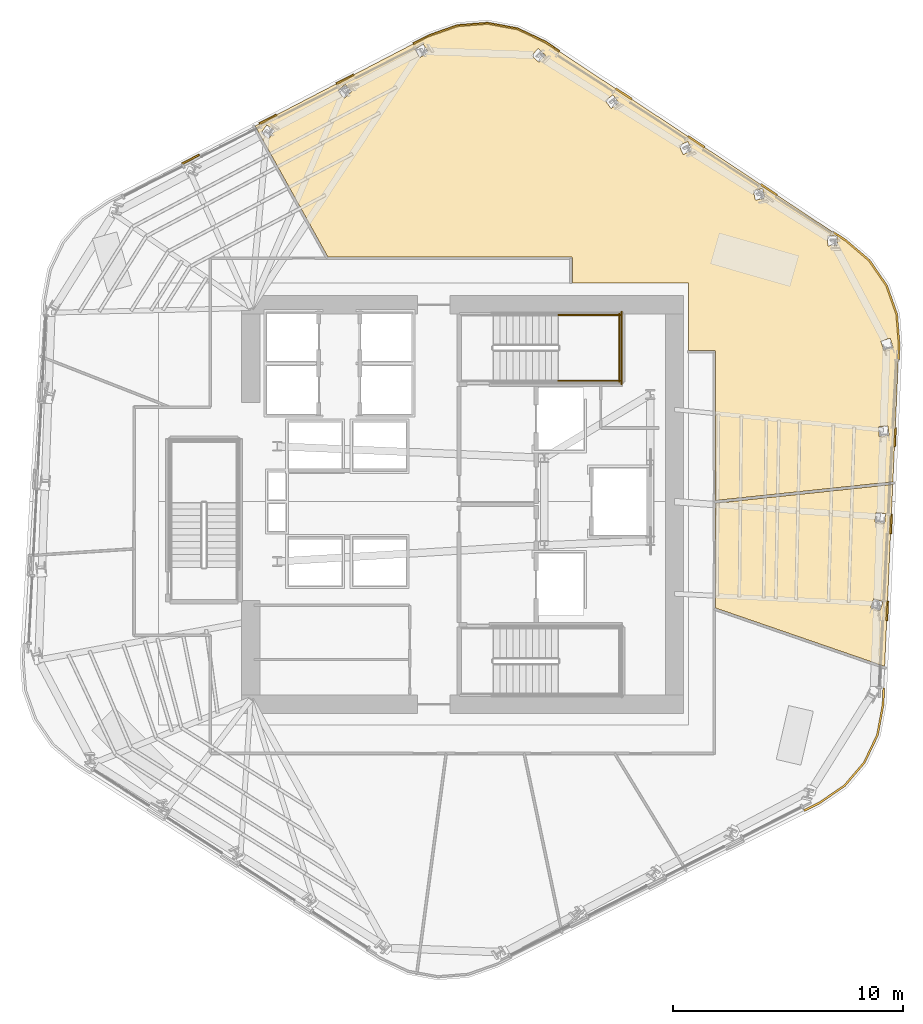
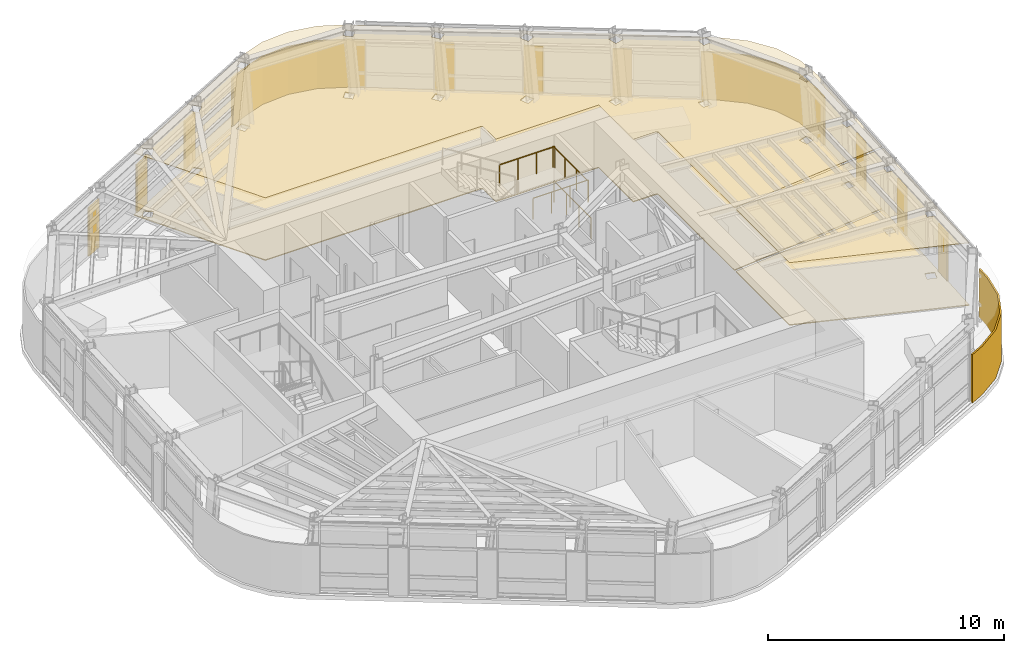
# One storey, part 13 of 14: 16 coverings, 4 railings.
"""IFC4 building model written with IfcOpenShell, lengths in metres."""

from ifc_helpers import new_model, si_unit, direction, frame, origin, origin_2d, place, context, subcontext, project, spatial, polyline, circle, outline, extrude, material, layer, layer_set, type_object, element, save


model = new_model("IFC4")

# Units and contexts
model_context = context("Model", 3, precision=1e-05, world=origin(), true_north=direction((0.0, 1.0)))
body_context = subcontext(model_context, "Body", "Model", "MODEL_VIEW")
ifc_project = project(units=[si_unit("LENGTHUNIT", "METRE"), si_unit("AREAUNIT", "SQUARE_METRE"), si_unit("VOLUMEUNIT", "CUBIC_METRE"), si_unit("PLANEANGLEUNIT", "RADIAN"), si_unit("MASSUNIT", "GRAM", prefix="KILO")], contexts=[model_context])

# Site, building, storey
site_placement = place(None, origin())
site = spatial("IfcSite", under=ifc_project, at=site_placement, CompositionType="ELEMENT")
building_placement = place(site_placement, origin())
building = spatial("IfcBuilding", under=site, at=building_placement, Name="Valkerne Bourse Tower", CompositionType="ELEMENT")
storey_placement = place(building_placement, frame((0.0, 0.0, 140.0)))
storey = spatial("IfcBuildingStorey", under=building, at=storey_placement, Name="L35", CompositionType="ELEMENT", Elevation=140.0)

# Coverings
ifc_material_1 = material(Name="Mineral Fiber Acoustic Ceiling Tile", Category="acoustic")
ifc_layer_1 = layer(ifc_material_1, 0.02490234375)
ifc_layer_set_1 = layer_set([ifc_layer_1], Name="Mineral Fiber Acoustic Ceiling Tile")
covering_type_1 = type_object("IfcCoveringType", Name="COV-CEIL-ACT", PredefinedType="CEILING", material=ifc_layer_set_1)
covering_1_placement = place(storey_placement, frame((0.0, 0.0, 3.22998046875)))
element("IfcCovering", 1, at=covering_1_placement, inside=storey, type_object=covering_type_1, Name="L35 Suspended Ceiling 07", PredefinedType="CEILING", context=body_context, shape_type="SweptSolid", body=[
    extrude(outline(polyline([(57.7890625, 26.933349609375), (65.4736328125, 27.741455078125), (65.12109375, 19.85009765625), (57.7890625, 22.379150390625), (57.7890625, 26.933349609375)]), holes=[polyline([(65.047119140625, 22.6611328125), (64.6416015625, 22.787353515625), (64.5185546875, 22.392822265625), (64.51806640625, 22.390380859375), (64.92333984375, 22.26416015625), (65.04638671875, 22.65869140625), (65.047119140625, 22.6611328125)]), polyline([(65.160400390625, 26.477783203125), (65.160400390625, 26.48046875), (64.73779296875, 26.521240234375), (64.697998046875, 26.110107421875), (64.69775390625, 26.107421875), (65.12060546875, 26.06640625), (65.160400390625, 26.477783203125)])]), origin(), (0.0, 0.0, 1.0), 0.02490234375),
])
covering_2_placement = place(storey_placement, frame((0.0, 0.0, 3.22998046875)))
element("IfcCovering", 2, at=covering_2_placement, inside=storey, type_object=covering_type_1, Name="L35 Suspended Ceiling 11", PredefinedType="CEILING", context=body_context, shape_type="SweptSolid", body=[
    extrude(outline(polyline([(47.88818359375, 47.761962890625), (49.185546875, 47.521484375), (50.384765625, 46.949462890625), (63.441162109375, 38.325927734375), (64.4521484375, 37.46240234375), (65.19970703125, 36.375), (65.639892578125, 35.131103515625), (65.744384765625, 33.8056640625), (65.47900390625, 27.860595703125), (57.7890625, 27.052001953125), (57.788330078125, 33.510009765625), (57.76611328125, 33.551513671875), (57.723388671875, 33.56884765625), (56.60009765625, 33.569091796875), (56.60009765625, 36.5), (51.569091796875, 36.5), (51.56884765625, 37.564697265625), (51.547119140625, 37.61083984375), (51.50439453125, 37.62890625), (40.94970703125, 37.62890625), (37.794921875, 43.306640625), (45.3203125, 47.21484375), (46.572509765625, 47.658203125), (47.88818359375, 47.761962890625)]), holes=[polyline([(38.393310546875, 42.760986328125), (38.639404296875, 43.10595703125), (38.302734375, 43.34716796875), (38.30029296875, 43.345947265625), (38.054443359375, 43.0009765625), (38.39111328125, 42.759765625), (38.393310546875, 42.760986328125)]), polyline([(53.579345703125, 44.30908203125), (53.32958984375, 44.651611328125), (53.326904296875, 44.652587890625), (52.9931640625, 44.40771484375), (53.242919921875, 44.065185546875), (53.24560546875, 44.064208984375), (53.579345703125, 44.30908203125)]), polyline([(41.980712890625, 44.80224609375), (41.699951171875, 45.10693359375), (41.697509765625, 45.106201171875), (41.386474609375, 44.818603515625), (41.6669921875, 44.513916015625), (41.669677734375, 44.514404296875), (41.980712890625, 44.80224609375)]), polyline([(50.083984375, 46.66552734375), (50.0810546875, 46.666015625), (49.79931640625, 46.36279296875), (50.10888671875, 46.073486328125), (50.11181640625, 46.072998046875), (50.393310546875, 46.37646484375), (50.083984375, 46.66552734375)]), polyline([(45.310302734375, 46.50341796875), (45.09228515625, 46.85546875), (45.08935546875, 46.855224609375), (44.72998046875, 46.631103515625), (44.9482421875, 46.279052734375), (44.951171875, 46.279296875), (45.310302734375, 46.50341796875)]), polyline([(65.3095703125, 29.878173828125), (65.264892578125, 30.288818359375), (65.264404296875, 30.29150390625), (64.84228515625, 30.24560546875), (64.886962890625, 29.8349609375), (64.887451171875, 29.832275390625), (65.3095703125, 29.878173828125)]), polyline([(65.486572265625, 33.693359375), (65.36572265625, 34.08837890625), (65.36474609375, 34.091064453125), (64.958740234375, 33.966796875), (65.07958984375, 33.57177734375), (65.080810546875, 33.569091796875), (65.486572265625, 33.693359375)]), polyline([(63.0703125, 38.119140625), (63.056884765625, 38.54248046875), (63.055419921875, 38.544921875), (62.6416015625, 38.53076171875), (62.65478515625, 38.107421875), (62.656494140625, 38.10498046875), (63.0703125, 38.119140625)]), polyline([(59.822509765625, 40.587646484375), (59.820556640625, 40.589599609375), (59.416748046875, 40.498046875), (59.509521484375, 40.08447265625), (59.511474609375, 40.08251953125), (59.915283203125, 40.17431640625), (59.822509765625, 40.587646484375)]), polyline([(56.753173828125, 42.239501953125), (56.578125, 42.62548828125), (56.575927734375, 42.626953125), (56.19921875, 42.455078125), (56.3740234375, 42.069091796875), (56.37646484375, 42.067626953125), (56.753173828125, 42.239501953125)])]), origin(), (0.0, 0.0, 1.0), 0.02490234375),
])
ifc_material_2 = material(Name="Bronze Anodised Aluminium AA 6063-T6", Category="aluminium")
ifc_layer_2 = layer(ifc_material_2, 0.06005859375)
ifc_layer_set_2 = layer_set([ifc_layer_2], Name="Bronze Anodised Aluminium AA 6063-T6")
covering_type_2 = type_object("IfcCoveringType", Name="COV-CRN-ALUM", PredefinedType="CLADDING", material=ifc_layer_set_2)
covering_3_placement = place(storey_placement, origin())
element("IfcCovering", 3, at=covering_3_placement, inside=storey, type_object=covering_type_2, Name="L35 Wind-Shaped Corner Aluminium Cladding 01", PredefinedType="CLADDING", context=body_context, shape_type="SweptSolid", body=[
    extrude(outline(polyline([(64.846435546875, 16.85400390625), (64.2734375, 15.652587890625), (63.408935546875, 14.640380859375), (62.306884765625, 13.8828125), (61.645263671875, 13.55224609375), (61.60888671875, 13.62353515625), (62.26611328125, 13.951904296875), (63.35498046875, 14.7001953125), (64.205810546875, 15.696533203125), (64.769775390625, 16.87890625), (65.010498046875, 18.17822265625), (65.043212890625, 18.912109375), (65.123291015625, 18.907958984375), (65.090087890625, 18.169189453125), (64.846435546875, 16.85400390625)])), origin(), (0.0, 0.0, 1.0), 2.5),
])
covering_4_placement = place(storey_placement, origin())
element("IfcCovering", 4, at=covering_4_placement, inside=storey, type_object=covering_type_2, Name="L35 Wind-Shaped Corner Aluminium Cladding 14", PredefinedType="CLADDING", context=body_context, shape_type="SweptSolid", body=[
    extrude(outline(polyline([(35.3515625, 42.087646484375), (35.387939453125, 42.016357421875), (34.642333984375, 41.629150390625), (34.606201171875, 41.700439453125), (35.3515625, 42.087646484375)])), origin(), (0.0, 0.0, 1.0), 2.5),
])
covering_5_placement = place(storey_placement, origin())
element("IfcCovering", 5, at=covering_5_placement, inside=storey, type_object=covering_type_2, Name="L35 Wind-Shaped Corner Aluminium Cladding 15", PredefinedType="CLADDING", context=body_context, shape_type="SweptSolid", body=[
    extrude(outline(polyline([(38.6982421875, 43.825439453125), (38.734619140625, 43.754150390625), (37.989013671875, 43.3671875), (37.952880859375, 43.4384765625), (38.6982421875, 43.825439453125)])), origin(), (0.0, 0.0, 1.0), 2.5),
])
covering_6_placement = place(storey_placement, origin())
element("IfcCovering", 6, at=covering_6_placement, inside=storey, type_object=covering_type_2, Name="L35 Wind-Shaped Corner Aluminium Cladding 16", PredefinedType="CLADDING", context=body_context, shape_type="SweptSolid", body=[
    extrude(outline(polyline([(42.045166015625, 45.5634765625), (42.081298828125, 45.4921875), (41.3359375, 45.10498046875), (41.299560546875, 45.176513671875), (42.045166015625, 45.5634765625)])), origin(), (0.0, 0.0, 1.0), 2.5),
])
covering_7_placement = place(storey_placement, origin())
element("IfcCovering", 7, at=covering_7_placement, inside=storey, type_object=covering_type_2, Name="L35 Wind-Shaped Corner Aluminium Cladding 17", PredefinedType="CLADDING", context=body_context, shape_type="SweptSolid", body=[
    extrude(outline(polyline([(45.302734375, 47.25537109375), (46.5634765625, 47.70166015625), (47.890380859375, 47.80615234375), (49.19921875, 47.563720703125), (50.406494140625, 46.98779296875), (51.0234375, 46.580078125), (50.97998046875, 46.51318359375), (50.366943359375, 46.91796875), (49.17431640625, 47.48681640625), (47.88623046875, 47.7255859375), (46.580078125, 47.622802734375), (45.334716796875, 47.181640625), (44.6826171875, 46.843017578125), (44.646240234375, 46.914306640625), (45.302734375, 47.25537109375)])), origin(), (0.0, 0.0, 1.0), 2.5),
])
covering_8_placement = place(storey_placement, origin())
element("IfcCovering", 8, at=covering_8_placement, inside=storey, type_object=covering_type_2, Name="L35 Wind-Shaped Corner Aluminium Cladding 18", PredefinedType="CLADDING", context=body_context, shape_type="SweptSolid", body=[
    extrude(outline(polyline([(54.17041015625, 44.501953125), (54.126708984375, 44.434814453125), (53.42578125, 44.897705078125), (53.46923828125, 44.96484375), (54.17041015625, 44.501953125)])), origin(), (0.0, 0.0, 1.0), 2.5),
])
covering_9_placement = place(storey_placement, origin())
element("IfcCovering", 9, at=covering_9_placement, inside=storey, type_object=covering_type_2, Name="L35 Wind-Shaped Corner Aluminium Cladding 19", PredefinedType="CLADDING", context=body_context, shape_type="SweptSolid", body=[
    extrude(outline(polyline([(57.31689453125, 42.423583984375), (57.2734375, 42.3564453125), (56.572509765625, 42.819580078125), (56.615966796875, 42.88671875), (57.31689453125, 42.423583984375)])), origin(), (0.0, 0.0, 1.0), 2.5),
])
covering_10_placement = place(storey_placement, origin())
element("IfcCovering", 10, at=covering_10_placement, inside=storey, type_object=covering_type_2, Name="L35 Wind-Shaped Corner Aluminium Cladding 20", PredefinedType="CLADDING", context=body_context, shape_type="SweptSolid", body=[
    extrude(outline(polyline([(60.463623046875, 40.34521484375), (60.420166015625, 40.2783203125), (59.718994140625, 40.7412109375), (59.7626953125, 40.808349609375), (60.463623046875, 40.34521484375)])), origin(), (0.0, 0.0, 1.0), 2.5),
])
covering_11_placement = place(storey_placement, origin())
element("IfcCovering", 11, at=covering_11_placement, inside=storey, type_object=covering_type_2, Name="L35 Wind-Shaped Corner Aluminium Cladding 21", PredefinedType="CLADDING", context=body_context, shape_type="SweptSolid", body=[
    extrude(outline(polyline([(63.467529296875, 38.361328125), (64.485107421875, 37.4921875), (65.239013671875, 36.395263671875), (65.683349609375, 35.140380859375), (65.788330078125, 33.806396484375), (65.758544921875, 33.13818359375), (65.6787109375, 33.142333984375), (65.708251953125, 33.804931640625), (65.6044921875, 35.123779296875), (65.167236328125, 36.358642578125), (64.42529296875, 37.438232421875), (63.41943359375, 38.297119140625), (62.865966796875, 38.662841796875), (62.909423828125, 38.72998046875), (63.467529296875, 38.361328125)])), origin(), (0.0, 0.0, 1.0), 2.5),
])
covering_12_placement = place(storey_placement, origin())
element("IfcCovering", 12, at=covering_12_placement, inside=storey, type_object=covering_type_2, Name="L35 Wind-Shaped Corner Aluminium Cladding 22", PredefinedType="CLADDING", context=body_context, shape_type="SweptSolid", body=[
    extrude(outline(polyline([(65.59033203125, 29.370849609375), (65.510498046875, 29.375), (65.548095703125, 30.214111328125), (65.627685546875, 30.2099609375), (65.59033203125, 29.370849609375)])), origin(), (0.0, 0.0, 1.0), 2.5),
])
covering_13_placement = place(storey_placement, origin())
element("IfcCovering", 13, at=covering_13_placement, inside=storey, type_object=covering_type_2, Name="L35 Wind-Shaped Corner Aluminium Cladding 23", PredefinedType="CLADDING", context=body_context, shape_type="SweptSolid", body=[
    extrude(outline(polyline([(65.422119140625, 25.603515625), (65.34228515625, 25.607666015625), (65.379638671875, 26.447021484375), (65.459716796875, 26.442626953125), (65.422119140625, 25.603515625)])), origin(), (0.0, 0.0, 1.0), 2.5),
])
covering_14_placement = place(storey_placement, origin())
element("IfcCovering", 14, at=covering_14_placement, inside=storey, type_object=covering_type_2, Name="L35 Wind-Shaped Corner Aluminium Cladding 24", PredefinedType="CLADDING", context=body_context, shape_type="SweptSolid", body=[
    extrude(outline(polyline([(65.25390625, 21.836181640625), (65.174072265625, 21.84033203125), (65.21142578125, 22.679443359375), (65.29150390625, 22.67529296875), (65.25390625, 21.836181640625)])), origin(), (0.0, 0.0, 1.0), 2.5),
])
ifc_material_3 = material(Name="Galvanised Painted Steel", Category="steel")
ifc_layer_3 = layer(ifc_material_3, 0.044921875)
ifc_layer_set_3 = layer_set([ifc_layer_3], Name="Galvanised Painted Steel")
covering_type_3 = type_object("IfcCoveringType", Name="COV-FLR-RAF", PredefinedType="FLOORING", material=ifc_layer_set_3)
covering_15_placement = place(storey_placement, origin())
element("IfcCovering", 15, at=covering_15_placement, inside=storey, type_object=covering_type_3, Name="L35 Floor Finish 07", PredefinedType="FLOORING", context=body_context, shape_type="SweptSolid", body=[
    extrude(outline(polyline([(57.7890625, 26.933349609375), (65.4736328125, 27.741455078125), (65.12109375, 19.85009765625), (57.7890625, 22.379150390625), (57.7890625, 26.933349609375)]), holes=[polyline([(65.047119140625, 22.6611328125), (64.6416015625, 22.787353515625), (64.5185546875, 22.392822265625), (64.51806640625, 22.390380859375), (64.92333984375, 22.26416015625), (65.04638671875, 22.65869140625), (65.047119140625, 22.6611328125)]), polyline([(65.160400390625, 26.477783203125), (65.160400390625, 26.48046875), (64.73779296875, 26.521240234375), (64.697998046875, 26.110107421875), (64.69775390625, 26.107421875), (65.12060546875, 26.06640625), (65.160400390625, 26.477783203125)])]), origin(), (0.0, 0.0, 1.0), 0.044921875),
])
covering_16_placement = place(storey_placement, origin())
element("IfcCovering", 16, at=covering_16_placement, inside=storey, type_object=covering_type_3, Name="L35 Floor Finish 11", PredefinedType="FLOORING", context=body_context, shape_type="SweptSolid", body=[
    extrude(outline(polyline([(47.88818359375, 47.761962890625), (49.185546875, 47.521484375), (50.384765625, 46.949462890625), (63.441162109375, 38.325927734375), (64.4521484375, 37.46240234375), (65.19970703125, 36.375), (65.639892578125, 35.131103515625), (65.744384765625, 33.8056640625), (65.47900390625, 27.860595703125), (57.7890625, 27.052001953125), (57.788330078125, 33.510009765625), (57.76611328125, 33.551513671875), (57.723388671875, 33.56884765625), (56.60009765625, 33.569091796875), (56.60009765625, 36.5), (51.569091796875, 36.5), (51.56884765625, 37.564697265625), (51.547119140625, 37.61083984375), (51.50439453125, 37.62890625), (40.94970703125, 37.62890625), (37.794921875, 43.306640625), (45.3203125, 47.21484375), (46.572509765625, 47.658203125), (47.88818359375, 47.761962890625)]), holes=[polyline([(38.393310546875, 42.760986328125), (38.639404296875, 43.10595703125), (38.302734375, 43.34716796875), (38.30029296875, 43.345947265625), (38.054443359375, 43.0009765625), (38.39111328125, 42.759765625), (38.393310546875, 42.760986328125)]), polyline([(53.579345703125, 44.30908203125), (53.32958984375, 44.651611328125), (53.326904296875, 44.652587890625), (52.9931640625, 44.40771484375), (53.242919921875, 44.065185546875), (53.24560546875, 44.064208984375), (53.579345703125, 44.30908203125)]), polyline([(41.980712890625, 44.80224609375), (41.699951171875, 45.10693359375), (41.697509765625, 45.106201171875), (41.386474609375, 44.818603515625), (41.6669921875, 44.513916015625), (41.669677734375, 44.514404296875), (41.980712890625, 44.80224609375)]), polyline([(50.083984375, 46.66552734375), (50.0810546875, 46.666015625), (49.79931640625, 46.36279296875), (50.10888671875, 46.073486328125), (50.11181640625, 46.072998046875), (50.393310546875, 46.37646484375), (50.083984375, 46.66552734375)]), polyline([(45.310302734375, 46.50341796875), (45.09228515625, 46.85546875), (45.08935546875, 46.855224609375), (44.72998046875, 46.631103515625), (44.9482421875, 46.279052734375), (44.951171875, 46.279296875), (45.310302734375, 46.50341796875)]), polyline([(65.3095703125, 29.878173828125), (65.264892578125, 30.288818359375), (65.264404296875, 30.29150390625), (64.84228515625, 30.24560546875), (64.886962890625, 29.8349609375), (64.887451171875, 29.832275390625), (65.3095703125, 29.878173828125)]), polyline([(65.486572265625, 33.693359375), (65.36572265625, 34.08837890625), (65.36474609375, 34.091064453125), (64.958740234375, 33.966796875), (65.07958984375, 33.57177734375), (65.080810546875, 33.569091796875), (65.486572265625, 33.693359375)]), polyline([(63.0703125, 38.119140625), (63.056884765625, 38.54248046875), (63.055419921875, 38.544921875), (62.6416015625, 38.53076171875), (62.65478515625, 38.107421875), (62.656494140625, 38.10498046875), (63.0703125, 38.119140625)]), polyline([(59.822509765625, 40.587646484375), (59.820556640625, 40.589599609375), (59.416748046875, 40.498046875), (59.509521484375, 40.08447265625), (59.511474609375, 40.08251953125), (59.915283203125, 40.17431640625), (59.822509765625, 40.587646484375)]), polyline([(56.753173828125, 42.239501953125), (56.578125, 42.62548828125), (56.575927734375, 42.626953125), (56.19921875, 42.455078125), (56.3740234375, 42.069091796875), (56.37646484375, 42.067626953125), (56.753173828125, 42.239501953125)])]), origin(), (0.0, 0.0, 1.0), 0.044921875),
])

# Railings
railing_type = type_object("IfcRailingType", Name="RLG-ST-GUARD-1120", PredefinedType="GUARDRAIL", material=ifc_material_3)
for number, where, name in (
    (17, (50.949951171875, 32.25, 1.89990234375), "L35 ST-2 stair guard 3"),
    (18, (50.949951171875, 35.10009765625, 1.89990234375), "L35 ST-2 stair guard 4"),
):
    element("IfcRailing", number, at=place(storey_placement, frame(where)), inside=storey, type_object=railing_type, Name=name, PredefinedType="GUARDRAIL", context=body_context, shape_type="SweptSolid", body=[
        extrude(circle(Radius=0.02392578125, at=origin_2d()), frame((0.0, 0.0, 1.09619140625), z_axis=(1.0, 0.0, 0.0), x_axis=(0.0, 1.0, 0.0)), (0.0, 0.0, 1.0), 2.699951171875),
        extrude(circle(Radius=0.02099609375, at=origin_2d()), origin(), (0.0, 0.0, 1.0), 1.072021484375),
        extrude(circle(Radius=0.02099609375, at=origin_2d()), frame((0.89990234375, 0.0, 0.0)), (0.0, 0.0, 1.0), 1.072021484375),
        extrude(circle(Radius=0.02099609375, at=origin_2d()), frame((1.800048828125, 0.0, 0.0)), (0.0, 0.0, 1.0), 1.072021484375),
        extrude(circle(Radius=0.02099609375, at=origin_2d()), frame((2.699951171875, 0.0, 0.0)), (0.0, 0.0, 1.0), 1.072021484375),
    ])
railing_1_placement = place(storey_placement, frame((53.60009765625, 32.199951171875, 1.89990234375)))
element("IfcRailing", 19, at=railing_1_placement, inside=storey, type_object=railing_type, Name="L35 ST-2 stair guard 5", PredefinedType="GUARDRAIL", context=body_context, shape_type="SweptSolid", body=[
    extrude(circle(Radius=0.02392578125, at=origin_2d()), frame((0.0, 0.0, 1.09619140625), z_axis=(0.0, 1.0, 0.0), x_axis=(-1.0, 0.0, 0.0)), (0.0, 0.0, 1.0), 2.949951171875),
    extrude(circle(Radius=0.02099609375, at=origin_2d()), origin(), (0.0, 0.0, 1.0), 1.072021484375),
    extrude(circle(Radius=0.02099609375, at=origin_2d()), frame((0.0, 0.9833984375, 0.0)), (0.0, 0.0, 1.0), 1.072021484375),
    extrude(circle(Radius=0.02099609375, at=origin_2d()), frame((0.0, 1.966552734375, 0.0)), (0.0, 0.0, 1.0), 1.072021484375),
    extrude(circle(Radius=0.02099609375, at=origin_2d()), frame((0.0, 2.949951171875, 0.0)), (0.0, 0.0, 1.0), 1.072021484375),
])
railing_2_placement = place(storey_placement, frame((53.699951171875, 32.10009765625, 0.0)))
element("IfcRailing", 20, at=railing_2_placement, inside=storey, type_object=railing_type, Name="L35 ST-2 stair guard 12", PredefinedType="GUARDRAIL", context=body_context, shape_type="SweptSolid", body=[
    extrude(circle(Radius=0.02392578125, at=origin_2d()), frame((0.0, 0.0, 1.09619140625), z_axis=(0.0, 1.0, 0.0), x_axis=(-1.0, 0.0, 0.0)), (0.0, 0.0, 1.0), 3.14990234375),
    extrude(circle(Radius=0.02099609375, at=origin_2d()), origin(), (0.0, 0.0, 1.0), 1.072021484375),
    extrude(circle(Radius=0.02099609375, at=origin_2d()), frame((0.0, 1.050048828125, 0.0)), (0.0, 0.0, 1.0), 1.072021484375),
    extrude(circle(Radius=0.02099609375, at=origin_2d()), frame((0.0, 2.099853515625, 0.0)), (0.0, 0.0, 1.0), 1.072021484375),
    extrude(circle(Radius=0.02099609375, at=origin_2d()), frame((0.0, 3.14990234375, 0.0)), (0.0, 0.0, 1.0), 1.072021484375),
])

save(model, "model.ifc")
